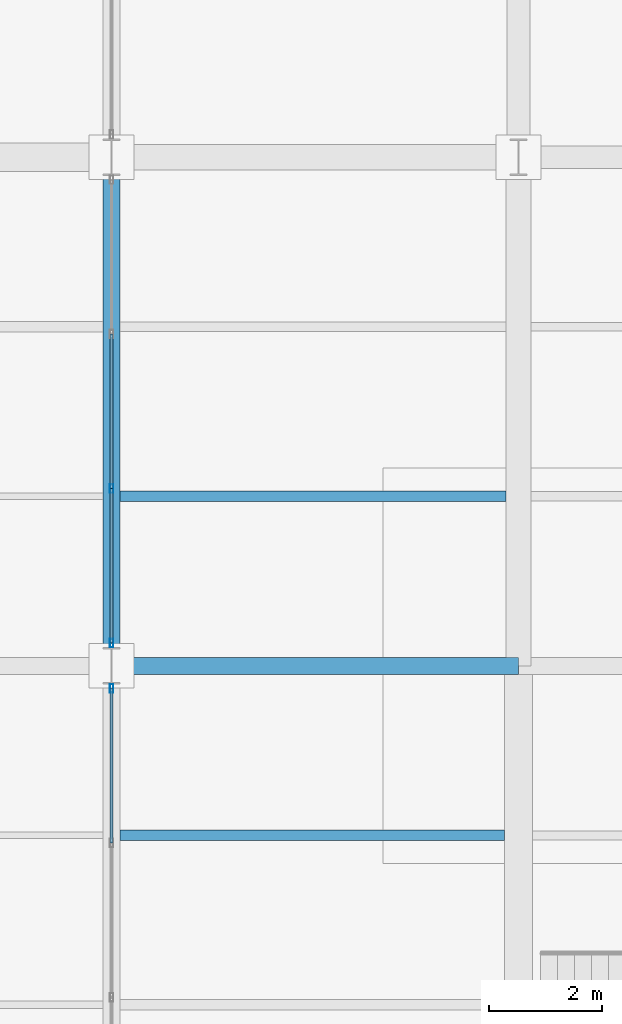
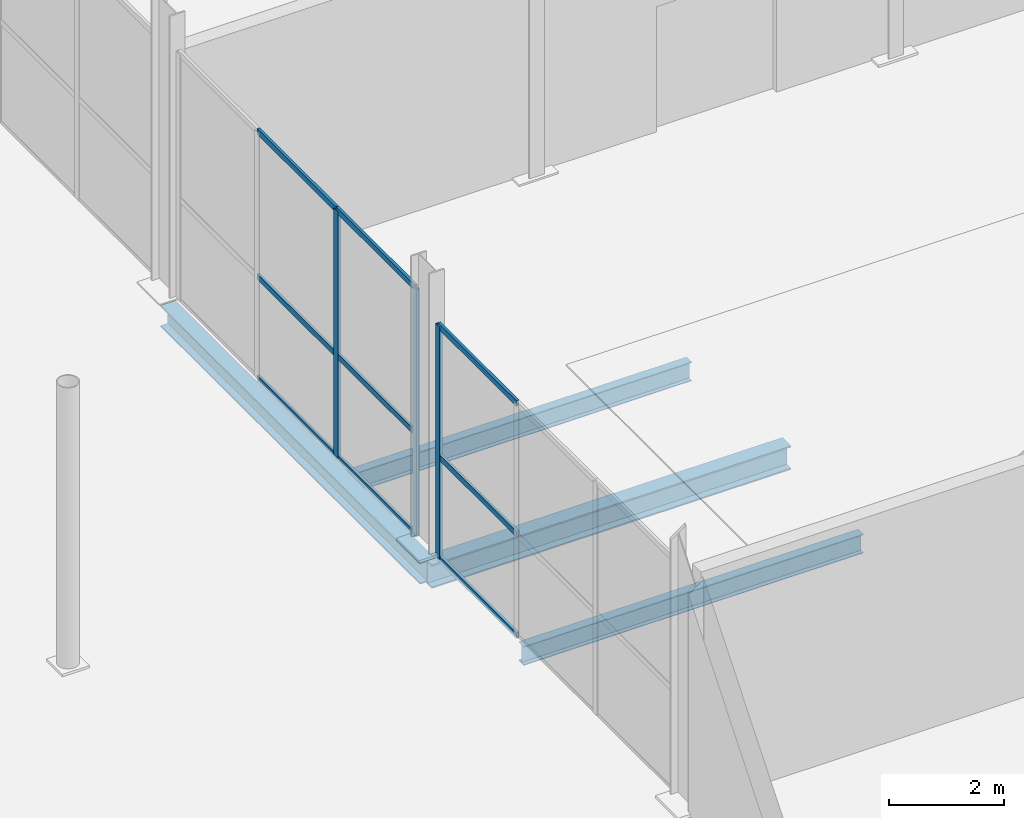
# One storey, part 48 of 144: 12 members, 4 beams, 2 elements without a shape of their own.
"""IFC4 building model written with IfcOpenShell, lengths in metres."""

from ifc_helpers import new_model, si_unit, direction, frame, origin, origin_2d, place, context, subcontext, project, spatial, hollow_rectangle, i_section, extrude, material, layer, layer_set, material_profile, profile_set, type_object, element, aggregate, save


model = new_model("IFC4")

# Units and contexts
model_context = context("Model", 3, precision=1e-05, world=origin(), true_north=direction((0.0, 1.0)))
body_context = subcontext(model_context, "Body", "Model", "MODEL_VIEW")
ifc_project = project(units=[si_unit("LENGTHUNIT", "METRE"), si_unit("AREAUNIT", "SQUARE_METRE"), si_unit("VOLUMEUNIT", "CUBIC_METRE"), si_unit("PLANEANGLEUNIT", "RADIAN"), si_unit("MASSUNIT", "GRAM", prefix="KILO")], contexts=[model_context])

# Site, building, storey
site_placement = place(None, origin())
site = spatial("IfcSite", under=ifc_project, at=site_placement, CompositionType="ELEMENT")
building_placement = place(site_placement, origin())
building = spatial("IfcBuilding", under=site, at=building_placement, Name="Sundgate Opera House", CompositionType="ELEMENT")
storey_placement = place(building_placement, origin())
storey = spatial("IfcBuildingStorey", under=building, at=storey_placement, Name="L00", CompositionType="ELEMENT", Elevation=0.0)

# Beams
ifc_material_1 = material(Name="Steel S355J2", Category="steel")
ifc_material_profile_1 = material_profile(ifc_material_1, i_section(OverallWidth=0.300048828125, OverallDepth=0.449951171875, WebThickness=0.013916015625, FlangeThickness=0.02587890625, at=origin_2d()), Name="HEB 450")
ifc_profile_set_1 = profile_set([ifc_material_profile_1], Name="Steel S355J2")
beam_type_1 = type_object("IfcBeamType", Name="BM-GR-HEB450", PredefinedType="BEAM", material=ifc_profile_set_1)
beam_1_placement = place(storey_placement, frame((95.39990234375, 51.0, -0.544921875), z_axis=(0.0, 1.0, 0.0), x_axis=(-1.0, 0.0, 0.0)))
element("IfcBeam", 1, at=beam_1_placement, inside=storey, type_object=beam_type_1, Name="L00 Primary N-S Girder B0196", PredefinedType="BEAM", context=body_context, shape_type="SweptSolid", body=[
    extrude(i_section(OverallWidth=0.300048828125, OverallDepth=0.449951171875, WebThickness=0.013916015625, FlangeThickness=0.02587890625, at=origin_2d()), origin(), (0.0, 0.0, 1.0), 9.0),
])
ifc_material_2 = material(Name="Steel S355J2", Category="steel")
ifc_material_profile_2 = material_profile(ifc_material_2, i_section(OverallWidth=0.300048828125, OverallDepth=0.5, WebThickness=0.014404296875, FlangeThickness=0.028076171875, at=origin_2d()), Name="HEB 500")
ifc_profile_set_2 = profile_set([ifc_material_profile_2], Name="Steel S355J2")
beam_type_2 = type_object("IfcBeamType", Name="BM-GR-HEB500", PredefinedType="BEAM", material=ifc_profile_set_2)
beam_2_placement = place(storey_placement, frame((95.39990234375, 51.0, -0.570068359375), z_axis=(1.0, 0.0, 0.0), x_axis=(0.0, 1.0, 0.0)))
element("IfcBeam", 2, at=beam_2_placement, inside=storey, type_object=beam_type_2, Name="L00 Primary E-W Girder B0436", PredefinedType="BEAM", context=body_context, shape_type="SweptSolid", body=[
    extrude(i_section(OverallWidth=0.300048828125, OverallDepth=0.5, WebThickness=0.014404296875, FlangeThickness=0.028076171875, at=origin_2d()), origin(), (0.0, 0.0, 1.0), 7.2001953125),
])
ifc_material_3 = material(Name="Steel S355J2", Category="steel")
ifc_material_profile_3 = material_profile(ifc_material_3, i_section(OverallWidth=0.179931640625, OverallDepth=0.39990234375, WebThickness=0.008544921875, FlangeThickness=0.013427734375, at=origin_2d()), Name="IPE 400")
ifc_profile_set_3 = profile_set([ifc_material_profile_3], Name="Steel S355J2")
beam_type_3 = type_object("IfcBeamType", Name="BM-JS-IPE400", PredefinedType="JOIST", material=ifc_profile_set_3)
beam_3_placement = place(storey_placement, frame((95.550048828125, 48.0, -0.52001953125), z_axis=(1.0, 0.0, 0.0), x_axis=(0.0, 1.0, 0.0)))
element("IfcBeam", 3, at=beam_3_placement, inside=storey, type_object=beam_type_3, Name="L00 Secondary Floor Joist B0764", PredefinedType="JOIST", context=body_context, shape_type="SweptSolid", body=[
    extrude(i_section(OverallWidth=0.179931640625, OverallDepth=0.39990234375, WebThickness=0.008544921875, FlangeThickness=0.013427734375, at=origin_2d()), origin(), (0.0, 0.0, 1.0), 6.800048828125),
])
beam_4_placement = place(storey_placement, frame((95.550048828125, 54.0, -0.52001953125), z_axis=(1.0, 0.0, 0.0), x_axis=(0.0, 1.0, 0.0)))
element("IfcBeam", 4, at=beam_4_placement, inside=storey, type_object=beam_type_3, Name="L00 Secondary Floor Joist B0792", PredefinedType="JOIST", context=body_context, shape_type="SweptSolid", body=[
    extrude(i_section(OverallWidth=0.179931640625, OverallDepth=0.39990234375, WebThickness=0.008544921875, FlangeThickness=0.013427734375, at=origin_2d()), origin(), (0.0, 0.0, 1.0), 6.824951171875),
])

# Curtain wall, member
ifc_material_4 = material(Name="Anodized aluminium and low-iron glass", Category="aluminium")
ifc_layer = layer(ifc_material_4, 0.159912109375)
ifc_layer_set = layer_set([ifc_layer], Name="Anodized aluminium and low-iron glass")
curtain_wall_type = type_object("IfcCurtainWallType", Name="CW-STUDIO-DARK", PredefinedType="NOTDEFINED", material=ifc_layer_set)
curtain_wall_1_placement = place(storey_placement, origin())
curtain_wall_1 = element("IfcCurtainWall", 5, at=curtain_wall_1_placement, inside=storey, type_object=curtain_wall_type, Name="L00 Curtain Wall CW028", PredefinedType="NOTDEFINED")
ifc_material_5 = material(Name="Anodized aluminium EN AW-6063", Category="aluminium")
ifc_material_profile_4 = material_profile(ifc_material_5, hollow_rectangle(XDim=0.06005859375, YDim=0.14990234375, WallThickness=0.00390625, at=origin_2d()), Name="CWM 150x60x4")
ifc_profile_set_4 = profile_set([ifc_material_profile_4], Name="Anodized aluminium EN AW-6063")
member_type_1 = type_object("IfcMemberType", Name="CWM-ALU-150x60", PredefinedType="MULLION", material=ifc_profile_set_4)
member_1_placement = place(storey_placement, frame((95.39990234375, 50.60009765625, 0.0), z_axis=(0.0, 0.0, 1.0), x_axis=(1.0, 0.0, 0.0)))
member_1 = element("IfcMember", 6, at=member_1_placement, type_object=member_type_1, Name="CW028 Mullion 1", PredefinedType="MULLION", context=body_context, shape_type="SweptSolid", body=[
    extrude(hollow_rectangle(XDim=0.06005859375, YDim=0.14990234375, WallThickness=0.00390625, at=origin_2d()), origin(), (0.0, 0.0, 1.0), 4.9150390625),
])

# Curtain wall, members
curtain_wall_2_placement = place(storey_placement, origin())
curtain_wall_2 = element("IfcCurtainWall", 7, at=curtain_wall_2_placement, inside=storey, type_object=curtain_wall_type, Name="L00 Curtain Wall CW030", PredefinedType="NOTDEFINED")
member_2_placement = place(storey_placement, frame((95.39990234375, 54.13330078125, 0.0), z_axis=(0.0, 0.0, 1.0), x_axis=(1.0, 0.0, 0.0)))
member_2 = element("IfcMember", 8, at=member_2_placement, type_object=member_type_1, Name="CW030 Mullion 3", PredefinedType="MULLION", context=body_context, shape_type="SweptSolid", body=[
    extrude(hollow_rectangle(XDim=0.06005859375, YDim=0.14990234375, WallThickness=0.00390625, at=origin_2d()), origin(), (0.0, 0.0, 1.0), 5.22509765625),
])
member_3_placement = place(storey_placement, frame((95.39990234375, 51.39990234375, 0.0), z_axis=(0.0, 0.0, 1.0), x_axis=(1.0, 0.0, 0.0)))
member_3 = element("IfcMember", 9, at=member_3_placement, type_object=member_type_1, Name="CW030 Mullion 4", PredefinedType="MULLION", context=body_context, shape_type="SweptSolid", body=[
    extrude(hollow_rectangle(XDim=0.06005859375, YDim=0.14990234375, WallThickness=0.00390625, at=origin_2d()), origin(), (0.0, 0.0, 1.0), 5.22509765625),
])

# Member
ifc_material_6 = material(Name="Anodized aluminium EN AW-6063", Category="aluminium")
ifc_material_profile_5 = material_profile(ifc_material_6, hollow_rectangle(XDim=0.054931640625, YDim=0.1201171875, WallThickness=0.00390625, at=origin_2d()), Name="CWT 120x55x4")
ifc_profile_set_5 = profile_set([ifc_material_profile_5], Name="Anodized aluminium EN AW-6063")
member_type_2 = type_object("IfcMemberType", Name="CWT-ALU-120x55", PredefinedType="USERDEFINED", material=ifc_profile_set_5)
member_4_placement = place(storey_placement, frame((95.39990234375, 50.60009765625, 0.0), z_axis=(0.0, -1.0, 0.0), x_axis=(1.0, 0.0, 0.0)))
member_4 = element("IfcMember", 10, at=member_4_placement, type_object=member_type_2, Name="CW028 Transom 1", ObjectType="TRANSOM", PredefinedType="USERDEFINED", context=body_context, shape_type="SweptSolid", body=[
    extrude(hollow_rectangle(XDim=0.054931640625, YDim=0.1201171875, WallThickness=0.00390625, at=origin_2d()), origin(), (0.0, 0.0, 1.0), 2.7333984375),
])

member_5_placement = place(storey_placement, frame((95.39990234375, 50.60009765625, 2.14990234375), z_axis=(0.0, -1.0, 0.0), x_axis=(1.0, 0.0, 0.0)))
member_5 = element("IfcMember", 11, at=member_5_placement, type_object=member_type_2, Name="CW028 Transom 2", ObjectType="TRANSOM", PredefinedType="USERDEFINED", context=body_context, shape_type="SweptSolid", body=[
    extrude(hollow_rectangle(XDim=0.054931640625, YDim=0.1201171875, WallThickness=0.00390625, at=origin_2d()), origin(), (0.0, 0.0, 1.0), 2.7333984375),
])

member_6_placement = place(storey_placement, frame((95.39990234375, 50.60009765625, 4.9150390625), z_axis=(0.0, -1.0, 0.0), x_axis=(1.0, 0.0, 0.0)))
member_6 = element("IfcMember", 12, at=member_6_placement, type_object=member_type_2, Name="CW028 Transom 3", ObjectType="TRANSOM", PredefinedType="USERDEFINED", context=body_context, shape_type="SweptSolid", body=[
    extrude(hollow_rectangle(XDim=0.054931640625, YDim=0.1201171875, WallThickness=0.00390625, at=origin_2d()), origin(), (0.0, 0.0, 1.0), 2.7333984375),
])

aggregate(curtain_wall_1, [member_1, member_4, member_5, member_6])

member_7_placement = place(storey_placement, frame((95.39990234375, 56.86669921875, 0.0), z_axis=(0.0, -1.0, 0.0), x_axis=(1.0, 0.0, 0.0)))
member_7 = element("IfcMember", 13, at=member_7_placement, type_object=member_type_2, Name="CW030 Transom 4", ObjectType="TRANSOM", PredefinedType="USERDEFINED", context=body_context, shape_type="SweptSolid", body=[
    extrude(hollow_rectangle(XDim=0.054931640625, YDim=0.1201171875, WallThickness=0.00390625, at=origin_2d()), origin(), (0.0, 0.0, 1.0), 2.7333984375),
])

member_8_placement = place(storey_placement, frame((95.39990234375, 56.86669921875, 2.14990234375), z_axis=(0.0, -1.0, 0.0), x_axis=(1.0, 0.0, 0.0)))
member_8 = element("IfcMember", 14, at=member_8_placement, type_object=member_type_2, Name="CW030 Transom 5", ObjectType="TRANSOM", PredefinedType="USERDEFINED", context=body_context, shape_type="SweptSolid", body=[
    extrude(hollow_rectangle(XDim=0.054931640625, YDim=0.1201171875, WallThickness=0.00390625, at=origin_2d()), origin(), (0.0, 0.0, 1.0), 2.7333984375),
])

member_9_placement = place(storey_placement, frame((95.39990234375, 56.86669921875, 5.22509765625), z_axis=(0.0, -1.0, 0.0), x_axis=(1.0, 0.0, 0.0)))
member_9 = element("IfcMember", 15, at=member_9_placement, type_object=member_type_2, Name="CW030 Transom 6", ObjectType="TRANSOM", PredefinedType="USERDEFINED", context=body_context, shape_type="SweptSolid", body=[
    extrude(hollow_rectangle(XDim=0.054931640625, YDim=0.1201171875, WallThickness=0.00390625, at=origin_2d()), origin(), (0.0, 0.0, 1.0), 2.7333984375),
])

member_10_placement = place(storey_placement, frame((95.39990234375, 54.13330078125, 0.0), z_axis=(0.0, -1.0, 0.0), x_axis=(1.0, 0.0, 0.0)))
member_10 = element("IfcMember", 16, at=member_10_placement, type_object=member_type_2, Name="CW030 Transom 7", ObjectType="TRANSOM", PredefinedType="USERDEFINED", context=body_context, shape_type="SweptSolid", body=[
    extrude(hollow_rectangle(XDim=0.054931640625, YDim=0.1201171875, WallThickness=0.00390625, at=origin_2d()), origin(), (0.0, 0.0, 1.0), 2.7333984375),
])

member_11_placement = place(storey_placement, frame((95.39990234375, 54.13330078125, 2.14990234375), z_axis=(0.0, -1.0, 0.0), x_axis=(1.0, 0.0, 0.0)))
member_11 = element("IfcMember", 17, at=member_11_placement, type_object=member_type_2, Name="CW030 Transom 8", ObjectType="TRANSOM", PredefinedType="USERDEFINED", context=body_context, shape_type="SweptSolid", body=[
    extrude(hollow_rectangle(XDim=0.054931640625, YDim=0.1201171875, WallThickness=0.00390625, at=origin_2d()), origin(), (0.0, 0.0, 1.0), 2.7333984375),
])

member_12_placement = place(storey_placement, frame((95.39990234375, 54.13330078125, 5.22509765625), z_axis=(0.0, -1.0, 0.0), x_axis=(1.0, 0.0, 0.0)))
member_12 = element("IfcMember", 18, at=member_12_placement, type_object=member_type_2, Name="CW030 Transom 9", ObjectType="TRANSOM", PredefinedType="USERDEFINED", context=body_context, shape_type="SweptSolid", body=[
    extrude(hollow_rectangle(XDim=0.054931640625, YDim=0.1201171875, WallThickness=0.00390625, at=origin_2d()), origin(), (0.0, 0.0, 1.0), 2.7333984375),
])

aggregate(curtain_wall_2, [member_2, member_3, member_7, member_8, member_9, member_10, member_11, member_12])

save(model, "model.ifc")
